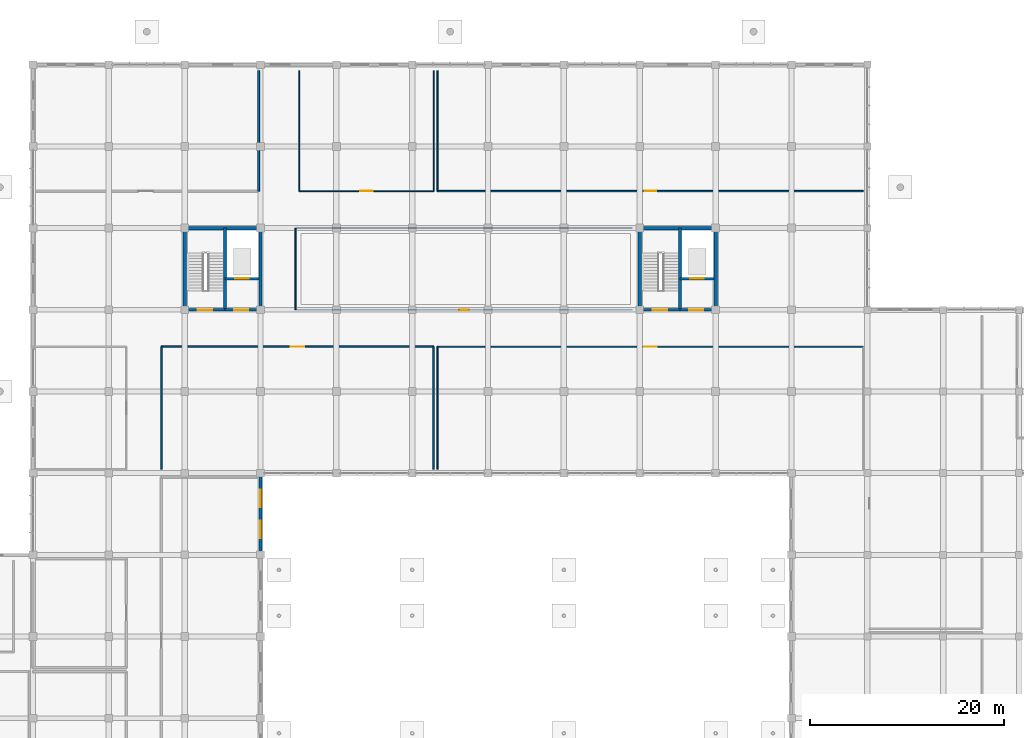
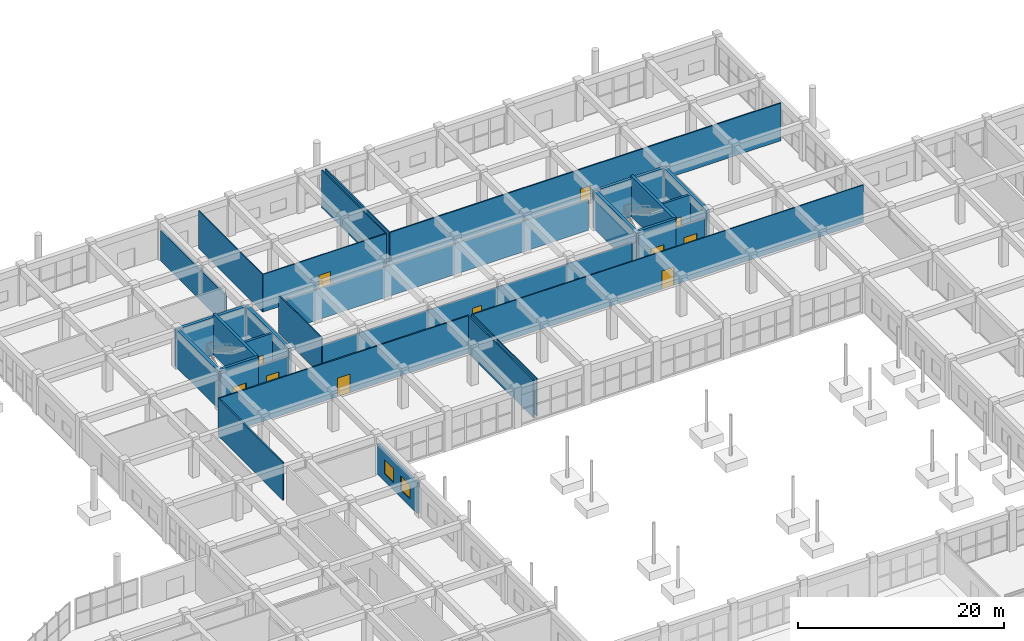
# One storey, part 127 of 139: 29 walls, 11 doors, 2 windows, 13 openings.
"""IFC4 building model written with IfcOpenShell, lengths in metres."""

from ifc_helpers import new_model, si_unit, direction, frame, frame_2d, origin, place, context, subcontext, project, spatial, rectangle, extrude, material, layer, layer_set, type_object, element, fill, save


model = new_model("IFC4")

# Units and contexts
model_context = context("Model", 3, precision=1e-05, world=origin(), true_north=direction((0.0, 1.0)))
body_context = subcontext(model_context, "Body", "Model", "MODEL_VIEW")
ifc_project = project(units=[si_unit("LENGTHUNIT", "METRE"), si_unit("AREAUNIT", "SQUARE_METRE"), si_unit("VOLUMEUNIT", "CUBIC_METRE"), si_unit("PLANEANGLEUNIT", "RADIAN"), si_unit("MASSUNIT", "GRAM", prefix="KILO")], contexts=[model_context])

# Site, building, storey
site_placement = place(None, origin())
site = spatial("IfcSite", under=ifc_project, at=site_placement, CompositionType="ELEMENT")
building_placement = place(site_placement, origin())
building = spatial("IfcBuilding", under=site, at=building_placement, Name="Zizhar Promenade General Hospital", CompositionType="ELEMENT")
storey_placement = place(building_placement, origin())
storey = spatial("IfcBuildingStorey", under=building, at=storey_placement, Name="L00", CompositionType="ELEMENT", Elevation=0.0)

# Wall, openings, windows
ifc_material_1 = material(Name="Precast concrete C40/50", Category="concrete")
ifc_layer_1 = layer(ifc_material_1, 0.260009765625)
ifc_layer_set_1 = layer_set([ifc_layer_1], Name="Precast concrete C40/50")
wall_type_1 = type_object("IfcWallType", Name="EW-PC-260", PredefinedType="STANDARD", material=ifc_layer_set_1)
wall_1_placement = place(storey_placement, frame((70.199951171875, 84.340087890625, 0.0), z_axis=(0.0, 0.0, 1.0), x_axis=(0.0, 1.0, 0.0)))
wall_1 = element("IfcWall", 1, at=wall_1_placement, inside=storey, type_object=wall_type_1, Name="Garden Court West Wall L00-10", PredefinedType="STANDARD", context=body_context, shape_type="SweptSolid", body=[
    extrude(rectangle(XDim=7.719970703125, YDim=0.260009765625, at=frame_2d((3.85986328125, 0.0))), origin(), (0.0, 0.0, 1.0), 3.614990234375),
])
opening_1_placement = place(wall_1_placement, frame((1.373291015625, 0.0, 0.89990234375)))
opening_1 = element("IfcOpeningElement", 2, at=opening_1_placement, cuts=wall_1, Name="Opening W-08", PredefinedType="OPENING", context=body_context, shape_type="SweptSolid", body=[
    extrude(rectangle(XDim=1.800048828125, YDim=1.64990234375, at=frame_2d((0.89990234375, 0.824951171875))), frame((0.0, 0.14013671875, 0.0), z_axis=(0.0, -1.0, 0.0), x_axis=(1.0, 0.0, 0.0)), (0.0, 0.0, 1.0), 0.280029296875),
])
opening_2_placement = place(wall_1_placement, frame((4.546630859375, 0.0, 0.89990234375)))
opening_2 = element("IfcOpeningElement", 3, at=opening_2_placement, cuts=wall_1, Name="Opening W-08", PredefinedType="OPENING", context=body_context, shape_type="SweptSolid", body=[
    extrude(rectangle(XDim=1.800048828125, YDim=1.64990234375, at=frame_2d((0.89990234375, 0.824951171875))), frame((0.0, 0.14013671875, 0.0), z_axis=(0.0, -1.0, 0.0), x_axis=(1.0, 0.0, 0.0)), (0.0, 0.0, 1.0), 0.280029296875),
])
ifc_material_2 = material(Name="Anodised aluminium 6063-T6 and low-E glass", Category="aluminium")
window_type = type_object("IfcWindowType", Name="WIN-CLN-180x165", PartitioningType="DOUBLE_PANEL_VERTICAL", PredefinedType="WINDOW", material=ifc_material_2)
window_1_placement = place(opening_1_placement, origin())
window_1 = element("IfcWindow", 4, at=window_1_placement, inside=storey, type_object=window_type, Name="Garden Court West Wall L00-10 Window 1", OverallHeight=1.64990234375, OverallWidth=1.800048828125, PartitioningType="SINGLE_PANEL", PredefinedType="WINDOW", context=body_context, shape_type="SweptSolid", body=[
    extrude(rectangle(XDim=1.800048828125, YDim=1.64990234375, at=frame_2d((0.89990234375, 0.824951171875))), frame((0.0, 0.030029296875, 0.0), z_axis=(0.0, -1.0, 0.0), x_axis=(1.0, 0.0, 0.0)), (0.0, 0.0, 1.0), 0.06005859375),
])
fill(opening_1, window_1)
window_2_placement = place(opening_2_placement, origin())
window_2 = element("IfcWindow", 5, at=window_2_placement, inside=storey, type_object=window_type, Name="Garden Court West Wall L00-10 Window 2", OverallHeight=1.64990234375, OverallWidth=1.800048828125, PartitioningType="SINGLE_PANEL", PredefinedType="WINDOW", context=body_context, shape_type="SweptSolid", body=[
    extrude(rectangle(XDim=1.800048828125, YDim=1.64990234375, at=frame_2d((0.89990234375, 0.824951171875))), frame((0.0, 0.030029296875, 0.0), z_axis=(0.0, -1.0, 0.0), x_axis=(1.0, 0.0, 0.0)), (0.0, 0.0, 1.0), 0.06005859375),
])
fill(opening_2, window_2)

# Wall, opening, door
ifc_material_3 = material(Name="Clinical consultation partition")
ifc_layer_2 = layer(ifc_material_3, 0.14501953125)
ifc_layer_set_2 = layer_set([ifc_layer_2], Name="Clinical consultation partition")
wall_type_2 = type_object("IfcWallType", Name="IW-CLN-145", PredefinedType="PARTITIONING", material=ifc_layer_set_2)
wall_2_placement = place(storey_placement, frame((88.39990234375, 121.39990234375, 0.0), z_axis=(0.0, 0.0, 1.0), x_axis=(1.0, 0.0, 0.0)))
wall_2 = element("IfcWall", 6, at=wall_2_placement, inside=storey, type_object=wall_type_2, Name="Outpatient Pre-Operative Assessment Clinic S Partition", PredefinedType="PARTITIONING", context=body_context, shape_type="SweptSolid", body=[
    extrude(rectangle(XDim=43.800048828125, YDim=0.14501953125, at=frame_2d((21.89990234375, 0.0))), origin(), (0.0, 0.0, 1.0), 4.4599609375),
])
opening_3_placement = place(wall_2_placement, frame((21.324951171875, 0.0, 0.0)))
opening_3 = element("IfcOpeningElement", 7, at=opening_3_placement, cuts=wall_2, Name="Opening D-15", PredefinedType="OPENING", context=body_context, shape_type="SweptSolid", body=[
    extrude(rectangle(XDim=1.14990234375, YDim=2.14990234375, at=frame_2d((0.574951171875, 1.074951171875))), frame((0.0, 0.08251953125, 0.0), z_axis=(0.0, -1.0, 0.0), x_axis=(1.0, 0.0, 0.0)), (0.0, 0.0, 1.0), 0.1650390625),
])
ifc_material_4 = material(Name="Fire-rated timber treatment leaf", Category="wood")
door_type_1 = type_object("IfcDoorType", Name="DR-CLN-TREAT-115x215", OperationType="NOTDEFINED", PredefinedType="DOOR", material=ifc_material_4)
door_1_placement = place(opening_3_placement, origin())
door_1 = element("IfcDoor", 8, at=door_1_placement, inside=storey, type_object=door_type_1, Name="Outpatient Pre-Operative Assessment Clinic Door", OperationType="SINGLE_SWING_RIGHT", OverallHeight=2.14990234375, OverallWidth=1.14990234375, PredefinedType="DOOR", context=body_context, shape_type="SweptSolid", body=[
    extrude(rectangle(XDim=1.14990234375, YDim=2.14990234375, at=frame_2d((0.574951171875, 1.074951171875))), frame((0.0, 0.02490234375, 0.0), z_axis=(0.0, -1.0, 0.0), x_axis=(1.0, 0.0, 0.0)), (0.0, 0.0, 1.0), 0.050048828125),
])
fill(opening_3, door_1)

# Wall
wall_3_placement = place(storey_placement, frame((88.39990234375, 121.39990234375, 0.0), z_axis=(0.0, 0.0, 1.0), x_axis=(0.0, 1.0, 0.0)))
element("IfcWall", 9, at=wall_3_placement, inside=storey, type_object=wall_type_2, Name="Outpatient Pre-Operative Assessment Clinic W Partition", PredefinedType="PARTITIONING", context=body_context, shape_type="SweptSolid", body=[
    extrude(rectangle(XDim=12.400146484375, YDim=0.14501953125, at=frame_2d((6.2001953125, 0.0))), origin(), (0.0, 0.0, 1.0), 4.4599609375),
])

# Wall, opening, door
ifc_material_5 = material(Name="Concrete C35/45", Category="concrete")
ifc_layer_3 = layer(ifc_material_5, 0.215087890625)
ifc_layer_set_3 = layer_set([ifc_layer_3], Name="Concrete C35/45")
wall_type_3 = type_object("IfcWallType", Name="IW-LOBBY-215", PredefinedType="STANDARD", material=ifc_layer_set_3)
wall_4_placement = place(storey_placement, frame((66.550048828125, 109.199951171875, 0.0), z_axis=(0.0, 0.0, 1.0), x_axis=(1.0, 0.0, 0.0)))
wall_4 = element("IfcWall", 10, at=wall_4_placement, inside=storey, type_object=wall_type_3, Name="Core C6 Lift Lobby South Fire Wall (L00)", PredefinedType="STANDARD", context=body_context, shape_type="SweptSolid", body=[
    extrude(rectangle(XDim=3.2900390625, YDim=0.215087890625, at=frame_2d((1.64501953125, 0.0))), origin(), (0.0, 0.0, 1.0), 3.6298828125),
])
opening_4_placement = place(wall_4_placement, frame((0.925048828125, 0.0, 0.0)))
opening_4 = element("IfcOpeningElement", 11, at=opening_4_placement, cuts=wall_4, Name="Opening D-23", PredefinedType="OPENING", context=body_context, shape_type="SweptSolid", body=[
    extrude(rectangle(XDim=1.43994140625, YDim=2.199951171875, at=frame_2d((0.719970703125, 1.10009765625))), frame((0.0, 0.11767578125, 0.0), z_axis=(0.0, -1.0, 0.0), x_axis=(1.0, 0.0, 0.0)), (0.0, 0.0, 1.0), 0.235107421875),
])
ifc_material_6 = material(Name="Fire-rated timber lift lobby pair", Category="wood")
door_type_2 = type_object("IfcDoorType", Name="DR-LOBBY-PR-144x220", OperationType="DOUBLE_DOOR_SINGLE_SWING", PredefinedType="DOOR", material=ifc_material_6)
door_2_placement = place(opening_4_placement, origin())
door_2 = element("IfcDoor", 12, at=door_2_placement, inside=storey, type_object=door_type_2, Name="Core C6 Protected Lift Lobby Door (L00)", OperationType="DOUBLE_DOOR_SINGLE_SWING", OverallHeight=2.199951171875, OverallWidth=1.43994140625, PredefinedType="DOOR", context=body_context, shape_type="SweptSolid", body=[
    extrude(rectangle(XDim=1.43994140625, YDim=2.199951171875, at=frame_2d((0.719970703125, 1.10009765625))), frame((0.0, 0.02490234375, 0.0), z_axis=(0.0, -1.0, 0.0), x_axis=(1.0, 0.0, 0.0)), (0.0, 0.0, 1.0), 0.050048828125),
])
fill(opening_4, door_2)

wall_5_placement = place(storey_placement, frame((113.35009765625, 109.199951171875, 0.0), z_axis=(0.0, 0.0, 1.0), x_axis=(1.0, 0.0, 0.0)))
wall_5 = element("IfcWall", 13, at=wall_5_placement, inside=storey, type_object=wall_type_3, Name="Core C7 Lift Lobby South Fire Wall (L00)", PredefinedType="STANDARD", context=body_context, shape_type="SweptSolid", body=[
    extrude(rectangle(XDim=3.289794921875, YDim=0.215087890625, at=frame_2d((1.64501953125, 0.0))), origin(), (0.0, 0.0, 1.0), 3.6298828125),
])
opening_5_placement = place(wall_5_placement, frame((0.925048828125, 0.0, 0.0)))
opening_5 = element("IfcOpeningElement", 14, at=opening_5_placement, cuts=wall_5, Name="Opening D-23", PredefinedType="OPENING", context=body_context, shape_type="SweptSolid", body=[
    extrude(rectangle(XDim=1.43994140625, YDim=2.199951171875, at=frame_2d((0.719970703125, 1.10009765625))), frame((0.0, 0.11767578125, 0.0), z_axis=(0.0, -1.0, 0.0), x_axis=(1.0, 0.0, 0.0)), (0.0, 0.0, 1.0), 0.235107421875),
])
door_3_placement = place(opening_5_placement, origin())
door_3 = element("IfcDoor", 15, at=door_3_placement, inside=storey, type_object=door_type_2, Name="Core C7 Protected Lift Lobby Door (L00)", OperationType="DOUBLE_DOOR_SINGLE_SWING", OverallHeight=2.199951171875, OverallWidth=1.43994140625, PredefinedType="DOOR", context=body_context, shape_type="SweptSolid", body=[
    extrude(rectangle(XDim=1.43994140625, YDim=2.199951171875, at=frame_2d((0.719970703125, 1.10009765625))), frame((0.0, 0.02490234375, 0.0), z_axis=(0.0, -1.0, 0.0), x_axis=(1.0, 0.0, 0.0)), (0.0, 0.0, 1.0), 0.050048828125),
])
fill(opening_5, door_3)

ifc_material_7 = material(Name="Concrete C35/45", Category="concrete")
ifc_layer_4 = layer(ifc_material_7, 0.25)
ifc_layer_set_4 = layer_set([ifc_layer_4], Name="Concrete C35/45")
wall_type_4 = type_object("IfcWallType", Name="IW-SHAFT-250", PredefinedType="STANDARD", material=ifc_layer_set_4)
wall_6_placement = place(storey_placement, frame((66.550048828125, 112.39990234375, 0.0), z_axis=(0.0, 0.0, 1.0), x_axis=(1.0, 0.0, 0.0)))
wall_6 = element("IfcWall", 16, at=wall_6_placement, inside=storey, type_object=wall_type_4, Name="Core C6 Lift Shaft Landing Wall (L00)", PredefinedType="STANDARD", context=body_context, shape_type="SweptSolid", body=[
    extrude(rectangle(XDim=3.5, YDim=0.25, at=frame_2d((1.75, 0.0))), origin(), (0.0, 0.0, 1.0), 4.4599609375),
])
opening_6_placement = place(wall_6_placement, frame((1.050048828125, 0.0, 0.0)))
opening_6 = element("IfcOpeningElement", 17, at=opening_6_placement, cuts=wall_6, Name="Opening LD-14", PredefinedType="OPENING", context=body_context, shape_type="SweptSolid", body=[
    extrude(rectangle(XDim=1.39990234375, YDim=2.199951171875, at=frame_2d((0.699951171875, 1.10009765625))), frame((0.0, 0.135009765625, 0.0), z_axis=(0.0, -1.0, 0.0), x_axis=(1.0, 0.0, 0.0)), (0.0, 0.0, 1.0), 0.27001953125),
])
ifc_material_8 = material(Name="Stainless Steel S355 hospital lift landing door", Category="steel")
door_type_3 = type_object("IfcDoorType", Name="DR-LIFT-LD14", OperationType="SLIDING_TO_LEFT", PredefinedType="DOOR", material=ifc_material_8)
door_4_placement = place(opening_6_placement, origin())
door_4 = element("IfcDoor", 18, at=door_4_placement, inside=storey, type_object=door_type_3, Name="Lift LG-01 Sliding Landing Door (L00)", OperationType="SLIDING_TO_LEFT", OverallHeight=2.199951171875, OverallWidth=1.39990234375, PredefinedType="DOOR", context=body_context, shape_type="SweptSolid", body=[
    extrude(rectangle(XDim=1.39990234375, YDim=2.199951171875, at=frame_2d((0.699951171875, 1.10009765625))), frame((0.0, 0.02490234375, 0.0), z_axis=(0.0, -1.0, 0.0), x_axis=(1.0, 0.0, 0.0)), (0.0, 0.0, 1.0), 0.050048828125),
])
fill(opening_6, door_4)

wall_7_placement = place(storey_placement, frame((113.35009765625, 112.39990234375, 0.0), z_axis=(0.0, 0.0, 1.0), x_axis=(1.0, 0.0, 0.0)))
wall_7 = element("IfcWall", 19, at=wall_7_placement, inside=storey, type_object=wall_type_4, Name="Core C7 Lift Shaft Landing Wall (L00)", PredefinedType="STANDARD", context=body_context, shape_type="SweptSolid", body=[
    extrude(rectangle(XDim=3.5, YDim=0.25, at=frame_2d((1.75, 0.0))), origin(), (0.0, 0.0, 1.0), 4.4599609375),
])
opening_7_placement = place(wall_7_placement, frame((1.050048828125, 0.0, 0.0)))
opening_7 = element("IfcOpeningElement", 20, at=opening_7_placement, cuts=wall_7, Name="Opening LD-14", PredefinedType="OPENING", context=body_context, shape_type="SweptSolid", body=[
    extrude(rectangle(XDim=1.39990234375, YDim=2.199951171875, at=frame_2d((0.699951171875, 1.10009765625))), frame((0.0, 0.135009765625, 0.0), z_axis=(0.0, -1.0, 0.0), x_axis=(1.0, 0.0, 0.0)), (0.0, 0.0, 1.0), 0.27001953125),
])
door_5_placement = place(opening_7_placement, origin())
door_5 = element("IfcDoor", 21, at=door_5_placement, inside=storey, type_object=door_type_3, Name="Lift LG-02 Sliding Landing Door (L00)", OperationType="SLIDING_TO_LEFT", OverallHeight=2.199951171875, OverallWidth=1.39990234375, PredefinedType="DOOR", context=body_context, shape_type="SweptSolid", body=[
    extrude(rectangle(XDim=1.39990234375, YDim=2.199951171875, at=frame_2d((0.699951171875, 1.10009765625))), frame((0.0, 0.02490234375, 0.0), z_axis=(0.0, -1.0, 0.0), x_axis=(1.0, 0.0, 0.0)), (0.0, 0.0, 1.0), 0.050048828125),
])
fill(opening_7, door_5)

ifc_material_9 = material(Name="Clean utility gypsum partition")
ifc_layer_5 = layer(ifc_material_9, 0.114990234375)
ifc_layer_set_5 = layer_set([ifc_layer_5], Name="Clean utility gypsum partition")
wall_type_5 = type_object("IfcWallType", Name="IW-STR-115", PredefinedType="PARTITIONING", material=ifc_layer_set_5)
wall_8_placement = place(storey_placement, frame((88.39990234375, 105.39990234375, 0.0), z_axis=(0.0, 0.0, 1.0), x_axis=(1.0, 0.0, 0.0)))
wall_8 = element("IfcWall", 22, at=wall_8_placement, inside=storey, type_object=wall_type_5, Name="Endoscopy and Bronchoscopy Procedure Suite N Partition", PredefinedType="PARTITIONING", context=body_context, shape_type="SweptSolid", body=[
    extrude(rectangle(XDim=43.800048828125, YDim=0.114990234375, at=frame_2d((21.89990234375, 0.0))), origin(), (0.0, 0.0, 1.0), 4.4599609375),
])
opening_8_placement = place(wall_8_placement, frame((21.239990234375, 0.0, 0.0)))
opening_8 = element("IfcOpeningElement", 23, at=opening_8_placement, cuts=wall_8, Name="Opening D-26", PredefinedType="OPENING", context=body_context, shape_type="SweptSolid", body=[
    extrude(rectangle(XDim=1.320068359375, YDim=2.14990234375, at=frame_2d((0.66015625, 1.074951171875))), frame((0.0, 0.0673828125, 0.0), z_axis=(0.0, -1.0, 0.0), x_axis=(1.0, 0.0, 0.0)), (0.0, 0.0, 1.0), 0.135009765625),
])
ifc_material_10 = material(Name="Fire-rated timber store leaf", Category="wood")
door_type_4 = type_object("IfcDoorType", Name="DR-STORE-132x215", OperationType="NOTDEFINED", PredefinedType="DOOR", material=ifc_material_10)
door_6_placement = place(opening_8_placement, origin())
door_6 = element("IfcDoor", 24, at=door_6_placement, inside=storey, type_object=door_type_4, Name="Endoscopy and Bronchoscopy Procedure Suite Door", OperationType="SINGLE_SWING_RIGHT", OverallHeight=2.14990234375, OverallWidth=1.320068359375, PredefinedType="DOOR", context=body_context, shape_type="SweptSolid", body=[
    extrude(rectangle(XDim=1.320068359375, YDim=2.14990234375, at=frame_2d((0.66015625, 1.074951171875))), frame((0.0, 0.02490234375, 0.0), z_axis=(0.0, -1.0, 0.0), x_axis=(1.0, 0.0, 0.0)), (0.0, 0.0, 1.0), 0.050048828125),
])
fill(opening_8, door_6)

# Wall
wall_9_placement = place(storey_placement, frame((88.39990234375, 92.800048828125, 0.0), z_axis=(0.0, 0.0, 1.0), x_axis=(0.0, 1.0, 0.0)))
element("IfcWall", 25, at=wall_9_placement, inside=storey, type_object=wall_type_5, Name="Endoscopy and Bronchoscopy Procedure Suite W Partition", PredefinedType="PARTITIONING", context=body_context, shape_type="SweptSolid", body=[
    extrude(rectangle(XDim=12.599853515625, YDim=0.114990234375, at=frame_2d((6.2998046875, 0.0))), origin(), (0.0, 0.0, 1.0), 4.4599609375),
])

# Wall, opening, door
wall_10_placement = place(storey_placement, frame((74.199951171875, 121.39990234375, 0.0), z_axis=(0.0, 0.0, 1.0), x_axis=(1.0, 0.0, 0.0)))
wall_10 = element("IfcWall", 26, at=wall_10_placement, inside=storey, type_object=wall_type_5, Name="Interventional Fluoroscopy Recovery Room S Partition", PredefinedType="PARTITIONING", context=body_context, shape_type="SweptSolid", body=[
    extrude(rectangle(XDim=13.800048828125, YDim=0.114990234375, at=frame_2d((6.89990234375, 0.0))), origin(), (0.0, 0.0, 1.0), 4.4599609375),
])
opening_9_placement = place(wall_10_placement, frame((6.239990234375, 0.0, 0.0)))
opening_9 = element("IfcOpeningElement", 27, at=opening_9_placement, cuts=wall_10, Name="Opening D-26", PredefinedType="OPENING", context=body_context, shape_type="SweptSolid", body=[
    extrude(rectangle(XDim=1.320068359375, YDim=2.14990234375, at=frame_2d((0.66015625, 1.074951171875))), frame((0.0, 0.0673828125, 0.0), z_axis=(0.0, -1.0, 0.0), x_axis=(1.0, 0.0, 0.0)), (0.0, 0.0, 1.0), 0.135009765625),
])
door_7_placement = place(opening_9_placement, origin())
door_7 = element("IfcDoor", 28, at=door_7_placement, inside=storey, type_object=door_type_4, Name="Interventional Fluoroscopy Recovery Room Door", OperationType="SINGLE_SWING_LEFT", OverallHeight=2.14990234375, OverallWidth=1.320068359375, PredefinedType="DOOR", context=body_context, shape_type="SweptSolid", body=[
    extrude(rectangle(XDim=1.320068359375, YDim=2.14990234375, at=frame_2d((0.66015625, 1.074951171875))), frame((0.0, 0.02490234375, 0.0), z_axis=(0.0, -1.0, 0.0), x_axis=(1.0, 0.0, 0.0)), (0.0, 0.0, 1.0), 0.050048828125),
])
fill(opening_9, door_7)

# Walls
for number, where, z_axis, x_axis, name in (
    (29, (74.199951171875, 121.39990234375, 0.0), (0.0, 0.0, 1.0), (0.0, 1.0, 0.0), "Interventional Fluoroscopy Recovery Room W Partition"),
    (30, (88.0, 121.39990234375, 0.0), (0.0, 0.0, 1.0), (0.0, 1.0, 0.0), "Interventional Fluoroscopy Recovery Room E Partition"),
):
    element("IfcWall", number, at=place(storey_placement, frame(where, z_axis=z_axis, x_axis=x_axis)), inside=storey, type_object=wall_type_5, Name=name, PredefinedType="PARTITIONING", context=body_context, shape_type="SweptSolid", body=[
        extrude(rectangle(XDim=12.400146484375, YDim=0.114990234375, at=frame_2d((6.2001953125, 0.0))), origin(), (0.0, 0.0, 1.0), 4.4599609375),
    ])

# Wall, opening, door
ifc_material_11 = material(Name="Acoustic patient bedroom partition")
ifc_layer_6 = layer(ifc_material_11, 0.155029296875)
ifc_layer_set_6 = layer_set([ifc_layer_6], Name="Acoustic patient bedroom partition")
wall_type_6 = type_object("IfcWallType", Name="IW-WARD-155", PredefinedType="PARTITIONING", material=ifc_layer_set_6)
wall_11_placement = place(storey_placement, frame((60.0, 105.39990234375, 0.0), z_axis=(0.0, 0.0, 1.0), x_axis=(1.0, 0.0, 0.0)))
wall_11 = element("IfcWall", 31, at=wall_11_placement, inside=storey, type_object=wall_type_6, Name="Day Surgery Recovery Ward N Partition", PredefinedType="PARTITIONING", context=body_context, shape_type="SweptSolid", body=[
    extrude(rectangle(XDim=28.0, YDim=0.155029296875, at=frame_2d((14.0, 0.0))), origin(), (0.0, 0.0, 1.0), 4.4599609375),
])
opening_10_placement = place(wall_11_placement, frame((13.300048828125, 0.0, 0.0)))
opening_10 = element("IfcOpeningElement", 32, at=opening_10_placement, cuts=wall_11, Name="Opening D-06", PredefinedType="OPENING", context=body_context, shape_type="SweptSolid", body=[
    extrude(rectangle(XDim=1.39990234375, YDim=2.199951171875, at=frame_2d((0.699951171875, 1.10009765625))), frame((0.0, 0.08740234375, 0.0), z_axis=(0.0, -1.0, 0.0), x_axis=(1.0, 0.0, 0.0)), (0.0, 0.0, 1.0), 0.175048828125),
])
ifc_material_12 = material(Name="Fire-rated timber hospital bed leaf", Category="wood")
door_type_5 = type_object("IfcDoorType", Name="DR-BED-WARD-140x220", OperationType="NOTDEFINED", PredefinedType="DOOR", material=ifc_material_12)
door_8_placement = place(opening_10_placement, origin())
door_8 = element("IfcDoor", 33, at=door_8_placement, inside=storey, type_object=door_type_5, Name="Day Surgery Recovery Ward Door", OperationType="SINGLE_SWING_LEFT", OverallHeight=2.199951171875, OverallWidth=1.39990234375, PredefinedType="DOOR", context=body_context, shape_type="SweptSolid", body=[
    extrude(rectangle(XDim=1.39990234375, YDim=2.199951171875, at=frame_2d((0.699951171875, 1.10009765625))), frame((0.0, 0.02490234375, 0.0), z_axis=(0.0, -1.0, 0.0), x_axis=(1.0, 0.0, 0.0)), (0.0, 0.0, 1.0), 0.050048828125),
])
fill(opening_10, door_8)

# Walls
for number, where, z_axis, x_axis, name in (
    (34, (60.0, 92.800048828125, 0.0), (0.0, 0.0, 1.0), (0.0, 1.0, 0.0), "Day Surgery Recovery Ward W Partition"),
    (35, (88.0, 92.800048828125, 0.0), (0.0, 0.0, 1.0), (0.0, 1.0, 0.0), "Day Surgery Recovery Ward E Partition"),
):
    element("IfcWall", number, at=place(storey_placement, frame(where, z_axis=z_axis, x_axis=x_axis)), inside=storey, type_object=wall_type_6, Name=name, PredefinedType="PARTITIONING", context=body_context, shape_type="SweptSolid", body=[
        extrude(rectangle(XDim=12.599853515625, YDim=0.155029296875, at=frame_2d((6.2998046875, 0.0))), origin(), (0.0, 0.0, 1.0), 4.4599609375),
    ])

# Wall, opening, door
ifc_material_13 = material(Name="Moisture-resistant en-suite wet partition")
ifc_layer_7 = layer(ifc_material_13, 0.125)
ifc_layer_set_7 = layer_set([ifc_layer_7], Name="Moisture-resistant en-suite wet partition")
wall_type_7 = type_object("IfcWallType", Name="IW-WET-125", PredefinedType="PARTITIONING", material=ifc_layer_set_7)
wall_12_placement = place(storey_placement, frame((73.800048828125, 109.199951171875, 0.0), z_axis=(0.0, 0.0, 1.0), x_axis=(1.0, 0.0, 0.0)))
wall_12 = element("IfcWall", 36, at=wall_12_placement, inside=storey, type_object=wall_type_7, Name="Surgical Staff Lounge and Accessible Toilet L00 S Partition", PredefinedType="PARTITIONING", context=body_context, shape_type="SweptSolid", body=[
    extrude(rectangle(XDim=34.639892578125, YDim=0.125, at=frame_2d((17.31982421875, 0.0))), origin(), (0.0, 0.0, 1.0), 3.6298828125),
])
opening_11_placement = place(wall_12_placement, frame((16.820068359375, 0.0, 0.0)))
opening_11 = element("IfcOpeningElement", 37, at=opening_11_placement, cuts=wall_12, Name="Opening D-19", PredefinedType="OPENING", context=body_context, shape_type="SweptSolid", body=[
    extrude(rectangle(XDim=1.0, YDim=2.10009765625, at=frame_2d((0.5, 1.050048828125))), frame((0.0, 0.072509765625, 0.0), z_axis=(0.0, -1.0, 0.0), x_axis=(1.0, 0.0, 0.0)), (0.0, 0.0, 1.0), 0.14501953125),
])
ifc_material_14 = material(Name="Moisture-resistant timber accessible WC", Category="wood")
door_type_6 = type_object("IfcDoorType", Name="DR-WC-PMR-100x210", OperationType="NOTDEFINED", PredefinedType="DOOR", material=ifc_material_14)
door_9_placement = place(opening_11_placement, origin())
door_9 = element("IfcDoor", 38, at=door_9_placement, inside=storey, type_object=door_type_6, Name="Surgical Staff Lounge and Accessible Toilet L00 Door", OperationType="SINGLE_SWING_LEFT", OverallHeight=2.10009765625, OverallWidth=1.0, PredefinedType="DOOR", context=body_context, shape_type="SweptSolid", body=[
    extrude(rectangle(XDim=1.0, YDim=2.10009765625, at=frame_2d((0.5, 1.050048828125))), frame((0.0, 0.02490234375, 0.0), z_axis=(0.0, -1.0, 0.0), x_axis=(1.0, 0.0, 0.0)), (0.0, 0.0, 1.0), 0.050048828125),
])
fill(opening_11, door_9)

# Walls
wall_13_placement = place(storey_placement, frame((73.800048828125, 117.60009765625, 0.0), z_axis=(0.0, 0.0, 1.0), x_axis=(1.0, 0.0, 0.0)))
element("IfcWall", 39, at=wall_13_placement, inside=storey, type_object=wall_type_7, Name="Surgical Staff Lounge and Accessible Toilet L00 N Partition", PredefinedType="PARTITIONING", context=body_context, shape_type="SweptSolid", body=[
    extrude(rectangle(XDim=34.639892578125, YDim=0.125, at=frame_2d((17.31982421875, 0.0))), origin(), (0.0, 0.0, 1.0), 3.6298828125),
])
wall_14_placement = place(storey_placement, frame((73.800048828125, 109.199951171875, 0.0), z_axis=(0.0, 0.0, 1.0), x_axis=(0.0, 1.0, 0.0)))
element("IfcWall", 40, at=wall_14_placement, inside=storey, type_object=wall_type_7, Name="Surgical Staff Lounge and Accessible Toilet L00 W Partition", PredefinedType="PARTITIONING", context=body_context, shape_type="SweptSolid", body=[
    extrude(rectangle(XDim=8.400146484375, YDim=0.125, at=frame_2d((4.2001953125, 0.0))), origin(), (0.0, 0.0, 1.0), 4.4599609375),
])
ifc_material_15 = material(Name="Lead-lined gypsum acoustic partition")
ifc_layer_8 = layer(ifc_material_15, 0.205078125)
ifc_layer_set_8 = layer_set([ifc_layer_8], Name="Lead-lined gypsum acoustic partition")
wall_type_8 = type_object("IfcWallType", Name="IW-XRAY-205", PredefinedType="PARTITIONING", material=ifc_layer_set_8)
wall_15_placement = place(storey_placement, frame((70.0, 121.39990234375, 0.0), z_axis=(0.0, 0.0, 1.0), x_axis=(0.0, 1.0, 0.0)))
element("IfcWall", 41, at=wall_15_placement, inside=storey, type_object=wall_type_8, Name="Interventional Angiography Imaging Suite E Partition", PredefinedType="PARTITIONING", context=body_context, shape_type="SweptSolid", body=[
    extrude(rectangle(XDim=12.400146484375, YDim=0.205078125, at=frame_2d((6.2001953125, 0.0))), origin(), (0.0, 0.0, 1.0), 3.614990234375),
])

# Wall, opening, door
ifc_material_16 = material(Name="Concrete C40/50", Category="concrete")
ifc_layer_9 = layer(ifc_material_16, 0.300048828125)
ifc_layer_set_9 = layer_set([ifc_layer_9], Name="Concrete C40/50")
wall_type_9 = type_object("IfcWallType", Name="WL-CORE-300", PredefinedType="SHEAR", material=ifc_layer_set_9)
wall_16_placement = place(storey_placement, frame((62.39990234375, 109.199951171875, 0.0), z_axis=(0.0, 0.0, 1.0), x_axis=(1.0, 0.0, 0.0)))
wall_16 = element("IfcWall", 42, at=wall_16_placement, inside=storey, type_object=wall_type_9, Name="Core C6 Stair South Fire Wall (L00)", PredefinedType="SHEAR", context=body_context, shape_type="SweptSolid", body=[
    extrude(rectangle(XDim=4.150146484375, YDim=0.300048828125, at=frame_2d((2.0751953125, 0.0))), origin(), (0.0, 0.0, 1.0), 4.800048828125),
])
opening_12_placement = place(wall_16_placement, frame((1.3349609375, 0.0, 0.0)))
opening_12 = element("IfcOpeningElement", 43, at=opening_12_placement, cuts=wall_16, Name="Opening D-20", PredefinedType="OPENING", context=body_context, shape_type="SweptSolid", body=[
    extrude(rectangle(XDim=1.47998046875, YDim=2.199951171875, at=frame_2d((0.739990234375, 1.10009765625))), frame((0.0, 0.16015625, 0.0), z_axis=(0.0, -1.0, 0.0), x_axis=(1.0, 0.0, 0.0)), (0.0, 0.0, 1.0), 0.320068359375),
])
ifc_material_17 = material(Name="Steel S355 fire-exit pair", Category="steel")
door_type_7 = type_object("IfcDoorType", Name="DR-STAIR-148x220", OperationType="DOUBLE_DOOR_SINGLE_SWING", PredefinedType="DOOR", material=ifc_material_17)
door_10_placement = place(opening_12_placement, origin())
door_10 = element("IfcDoor", 44, at=door_10_placement, inside=storey, type_object=door_type_7, Name="Exit Stair ST-06 Door (L00)", OperationType="DOUBLE_DOOR_SINGLE_SWING", OverallHeight=2.199951171875, OverallWidth=1.47998046875, PredefinedType="DOOR", context=body_context, shape_type="SweptSolid", body=[
    extrude(rectangle(XDim=1.47998046875, YDim=2.199951171875, at=frame_2d((0.739990234375, 1.10009765625))), frame((0.0, 0.02490234375, 0.0), z_axis=(0.0, -1.0, 0.0), x_axis=(1.0, 0.0, 0.0)), (0.0, 0.0, 1.0), 0.050048828125),
])
fill(opening_12, door_10)

# Wall
wall_17_placement = place(storey_placement, frame((66.550048828125, 109.199951171875, 0.0), z_axis=(0.0, 0.0, 1.0), x_axis=(0.0, 1.0, 0.0)))
element("IfcWall", 45, at=wall_17_placement, inside=storey, type_object=wall_type_9, Name="Core C6 Stair-Shaft Separation Wall (L00)", PredefinedType="SHEAR", context=body_context, shape_type="SweptSolid", body=[
    extrude(rectangle(XDim=8.400146484375, YDim=0.300048828125, at=frame_2d((4.2001953125, 0.0))), origin(), (0.0, 0.0, 1.0), 4.800048828125),
])

# Wall, opening, door
wall_18_placement = place(storey_placement, frame((109.199951171875, 109.199951171875, 0.0), z_axis=(0.0, 0.0, 1.0), x_axis=(1.0, 0.0, 0.0)))
wall_18 = element("IfcWall", 46, at=wall_18_placement, inside=storey, type_object=wall_type_9, Name="Core C7 Stair South Fire Wall (L00)", PredefinedType="SHEAR", context=body_context, shape_type="SweptSolid", body=[
    extrude(rectangle(XDim=4.150146484375, YDim=0.300048828125, at=frame_2d((2.0751953125, 0.0))), origin(), (0.0, 0.0, 1.0), 4.800048828125),
])
opening_13_placement = place(wall_18_placement, frame((1.3349609375, 0.0, 0.0)))
opening_13 = element("IfcOpeningElement", 47, at=opening_13_placement, cuts=wall_18, Name="Opening D-20", PredefinedType="OPENING", context=body_context, shape_type="SweptSolid", body=[
    extrude(rectangle(XDim=1.47998046875, YDim=2.199951171875, at=frame_2d((0.739990234375, 1.10009765625))), frame((0.0, 0.16015625, 0.0), z_axis=(0.0, -1.0, 0.0), x_axis=(1.0, 0.0, 0.0)), (0.0, 0.0, 1.0), 0.320068359375),
])
door_11_placement = place(opening_13_placement, origin())
door_11 = element("IfcDoor", 48, at=door_11_placement, inside=storey, type_object=door_type_7, Name="Exit Stair ST-07 Door (L00)", OperationType="DOUBLE_DOOR_SINGLE_SWING", OverallHeight=2.199951171875, OverallWidth=1.47998046875, PredefinedType="DOOR", context=body_context, shape_type="SweptSolid", body=[
    extrude(rectangle(XDim=1.47998046875, YDim=2.199951171875, at=frame_2d((0.739990234375, 1.10009765625))), frame((0.0, 0.02490234375, 0.0), z_axis=(0.0, -1.0, 0.0), x_axis=(1.0, 0.0, 0.0)), (0.0, 0.0, 1.0), 0.050048828125),
])
fill(opening_13, door_11)

# Walls
wall_19_placement = place(storey_placement, frame((113.35009765625, 109.199951171875, 0.0), z_axis=(0.0, 0.0, 1.0), x_axis=(0.0, 1.0, 0.0)))
element("IfcWall", 49, at=wall_19_placement, inside=storey, type_object=wall_type_9, Name="Core C7 Stair-Shaft Separation Wall (L00)", PredefinedType="SHEAR", context=body_context, shape_type="SweptSolid", body=[
    extrude(rectangle(XDim=8.400146484375, YDim=0.300048828125, at=frame_2d((4.2001953125, 0.0))), origin(), (0.0, 0.0, 1.0), 4.800048828125),
])
ifc_material_18 = material(Name="Concrete C40/50", Category="concrete")
ifc_layer_10 = layer(ifc_material_18, 0.35009765625)
ifc_layer_set_10 = layer_set([ifc_layer_10], Name="Concrete C40/50")
wall_type_10 = type_object("IfcWallType", Name="WL-CORE-350", PredefinedType="SHEAR", material=ifc_layer_set_10)
wall_20_placement = place(storey_placement, frame((62.22509765625, 117.60009765625, 0.0), z_axis=(0.0, 0.0, 1.0), x_axis=(1.0, 0.0, 0.0)))
element("IfcWall", 50, at=wall_20_placement, inside=storey, type_object=wall_type_10, Name="Core C6 North Shear Wall L00", PredefinedType="SHEAR", context=body_context, shape_type="SweptSolid", body=[
    extrude(rectangle(XDim=8.14990234375, YDim=0.35009765625, at=frame_2d((4.074951171875, 0.0))), origin(), (0.0, 0.0, 1.0), 4.47998046875),
])
for number, where, z_axis, x_axis, name in (
    (51, (62.39990234375, 109.199951171875, 0.0), (0.0, 0.0, 1.0), (0.0, 1.0, 0.0), "Core C6 West Shear Wall L00"),
    (52, (70.199951171875, 109.199951171875, 0.0), (0.0, 0.0, 1.0), (0.0, 1.0, 0.0), "Core C6 East Shear Wall L00"),
):
    element("IfcWall", number, at=place(storey_placement, frame(where, z_axis=z_axis, x_axis=x_axis)), inside=storey, type_object=wall_type_10, Name=name, PredefinedType="SHEAR", context=body_context, shape_type="SweptSolid", body=[
        extrude(rectangle(XDim=8.400146484375, YDim=0.35009765625, at=frame_2d((4.2001953125, 0.0))), origin(), (0.0, 0.0, 1.0), 4.47998046875),
    ])
wall_21_placement = place(storey_placement, frame((109.02490234375, 117.60009765625, 0.0), z_axis=(0.0, 0.0, 1.0), x_axis=(1.0, 0.0, 0.0)))
element("IfcWall", 53, at=wall_21_placement, inside=storey, type_object=wall_type_10, Name="Core C7 North Shear Wall L00", PredefinedType="SHEAR", context=body_context, shape_type="SweptSolid", body=[
    extrude(rectangle(XDim=8.150146484375, YDim=0.35009765625, at=frame_2d((4.0751953125, 0.0))), origin(), (0.0, 0.0, 1.0), 4.47998046875),
])
for number, where, z_axis, x_axis, name in (
    (54, (109.199951171875, 109.199951171875, 0.0), (0.0, 0.0, 1.0), (0.0, 1.0, 0.0), "Core C7 West Shear Wall L00"),
    (55, (117.0, 109.199951171875, 0.0), (0.0, 0.0, 1.0), (0.0, 1.0, 0.0), "Core C7 East Shear Wall L00"),
):
    element("IfcWall", number, at=place(storey_placement, frame(where, z_axis=z_axis, x_axis=x_axis)), inside=storey, type_object=wall_type_10, Name=name, PredefinedType="SHEAR", context=body_context, shape_type="SweptSolid", body=[
        extrude(rectangle(XDim=8.400146484375, YDim=0.35009765625, at=frame_2d((4.2001953125, 0.0))), origin(), (0.0, 0.0, 1.0), 4.47998046875),
    ])

save(model, "model.ifc")
